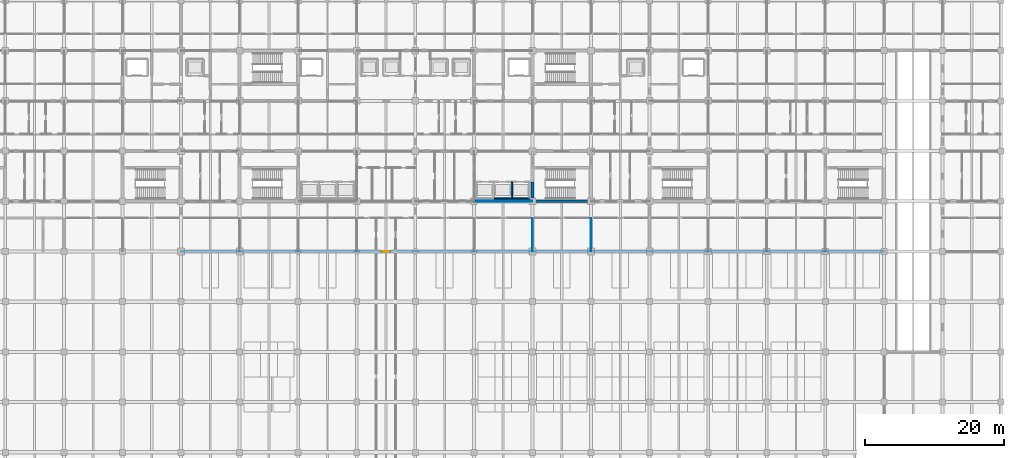
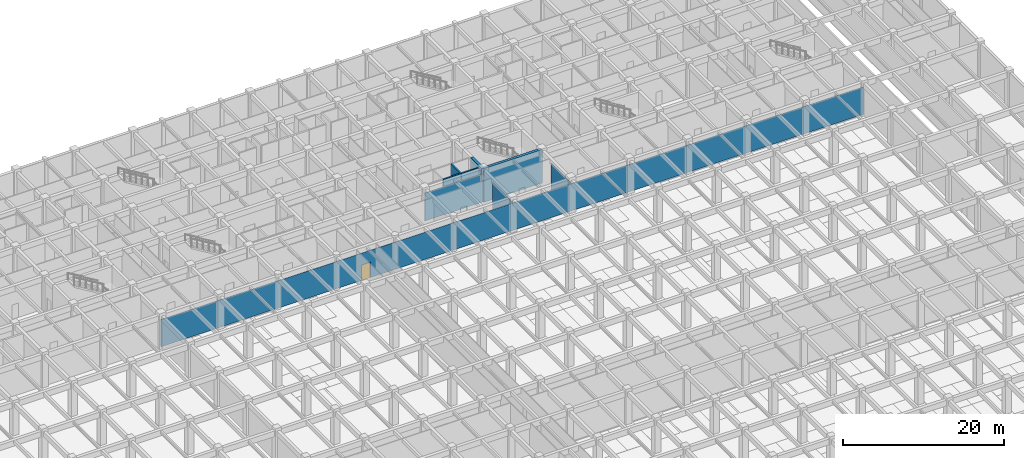
# One storey, part 27 of 48: 9 walls, 1 door, 1 opening.
"""IFC4 building model written with IfcOpenShell, lengths in metres."""

from ifc_helpers import new_model, si_unit, direction, frame, frame_2d, origin, place, context, subcontext, project, spatial, rectangle, extrude, material, layer, layer_set, type_object, element, fill, save


model = new_model("IFC4")

# Units and contexts
model_context = context("Model", 3, precision=1e-05, world=origin(), true_north=direction((0.0, 1.0)))
body_context = subcontext(model_context, "Body", "Model", "MODEL_VIEW")
ifc_project = project(units=[si_unit("LENGTHUNIT", "METRE"), si_unit("AREAUNIT", "SQUARE_METRE"), si_unit("VOLUMEUNIT", "CUBIC_METRE"), si_unit("PLANEANGLEUNIT", "RADIAN"), si_unit("MASSUNIT", "GRAM", prefix="KILO")], contexts=[model_context])

# Site, building, storey
site_placement = place(None, origin())
site = spatial("IfcSite", under=ifc_project, at=site_placement, CompositionType="ELEMENT")
building_placement = place(site_placement, origin())
building = spatial("IfcBuilding", under=site, at=building_placement, Name="Chengyuan Square Courthouse", CompositionType="ELEMENT")
storey_placement = place(building_placement, frame((0.0, 0.0, -5.39990234375)))
storey = spatial("IfcBuildingStorey", under=building, at=storey_placement, Name="B01", CompositionType="ELEMENT", Elevation=-5.39990234375)

# Wall, opening, door
ifc_material_1 = material(Name="Gypsum Plasterboard Acoustic Stud Partition")
ifc_layer_1 = layer(ifc_material_1, 0.10009765625)
ifc_layer_set_1 = layer_set([ifc_layer_1], Name="Gypsum Plasterboard Acoustic Stud Partition")
wall_type_1 = type_object("IfcWallType", Name="WL-PT6", PredefinedType="STANDARD", material=ifc_layer_set_1)
wall_1_placement = place(storey_placement, frame((50.39990234375, 79.199951171875, 0.0), z_axis=(0.0, 0.0, 1.0), x_axis=(1.0, 0.0, 0.0)))
wall_1 = element("IfcWall", 1, at=wall_1_placement, inside=storey, type_object=wall_type_1, Name="Interior Wall WL-B01-I299", PredefinedType="STANDARD", context=body_context, shape_type="SweptSolid", body=[
    extrude(rectangle(XDim=100.800048828125, YDim=0.10009765625, at=frame_2d((50.39990234375, 0.0))), origin(), (0.0, 0.0, 1.0), 4.1298828125),
])
opening_placement = place(wall_1_placement, frame((28.760009765625, 0.0, 0.0)))
opening = element("IfcOpeningElement", 2, at=opening_placement, cuts=wall_1, Name="Opening DR-640", PredefinedType="OPENING", context=body_context, shape_type="SweptSolid", body=[
    extrude(rectangle(XDim=1.280029296875, YDim=2.35009765625, at=frame_2d((0.64013671875, 1.175048828125))), frame((0.0, 0.06201171875, 0.0), z_axis=(0.0, -1.0, 0.0), x_axis=(1.0, 0.0, 0.0)), (0.0, 0.0, 1.0), 0.1240234375),
])
ifc_material_2 = material(Name="Acoustic Solid-Core Timber Door", Category="wood")
door_type = type_object("IfcDoorType", Name="DT-38", OperationType="NOTDEFINED", PredefinedType="DOOR", material=ifc_material_2)
door_placement = place(opening_placement, origin())
door = element("IfcDoor", 3, at=door_placement, inside=storey, type_object=door_type, Name="Interior Door DR-640", OperationType="SINGLE_SWING_LEFT", OverallHeight=2.35009765625, OverallWidth=1.280029296875, PredefinedType="DOOR", context=body_context, shape_type="SweptSolid", body=[
    extrude(rectangle(XDim=1.280029296875, YDim=2.35009765625, at=frame_2d((0.64013671875, 1.175048828125))), frame((0.0, 0.02490234375, 0.0), z_axis=(0.0, -1.0, 0.0), x_axis=(1.0, 0.0, 0.0)), (0.0, 0.0, 1.0), 0.050048828125),
])
fill(opening, door)

# Walls
wall_2_placement = place(storey_placement, frame((92.449951171875, 86.39990234375, 0.0), z_axis=(0.0, 0.0, 1.0), x_axis=(1.0, 0.0, 0.0)))
element("IfcWall", 4, at=wall_2_placement, inside=storey, type_object=wall_type_1, Name="Interior Wall WL-B01-I314", PredefinedType="STANDARD", context=body_context, shape_type="SweptSolid", body=[
    extrude(rectangle(XDim=8.300048828125, YDim=0.10009765625, at=frame_2d((4.14990234375, 0.0))), origin(), (0.0, 0.0, 1.0), 4.25),
])
for number, where, z_axis, x_axis, name in (
    (5, (100.800048828125, 79.199951171875, 0.0), (0.0, 0.0, 1.0), (0.0, 1.0, 0.0), "Interior Wall WL-B01-I550"),
    (6, (109.199951171875, 79.199951171875, 0.0), (0.0, 0.0, 1.0), (0.0, 1.0, 0.0), "Interior Wall WL-B01-I559"),
):
    element("IfcWall", number, at=place(storey_placement, frame(where, z_axis=z_axis, x_axis=x_axis)), inside=storey, type_object=wall_type_1, Name=name, PredefinedType="STANDARD", context=body_context, shape_type="SweptSolid", body=[
        extrude(rectangle(XDim=4.800048828125, YDim=0.10009765625, at=frame_2d((2.39990234375, 0.0))), origin(), (0.0, 0.0, 1.0), 4.349853515625),
    ])
ifc_material_3 = material(Name="Reinforced Masonry Shaft Enclosure", Category="masonry")
ifc_layer_2 = layer(ifc_material_3, 0.199951171875)
ifc_layer_set_2 = layer_set([ifc_layer_2], Name="Reinforced Masonry Shaft Enclosure")
wall_type_2 = type_object("IfcWallType", Name="WL-SH1", PredefinedType="STANDARD", material=ifc_layer_set_2)
for number, where, z_axis, x_axis, name in (
    (7, (95.300048828125, 86.800048828125, 0.0), (0.0, 0.0, 1.0), (1.0, 0.0, 0.0), "Interior Wall WL-B01-I325"),
    (8, (97.89990234375, 86.800048828125, 0.0), (0.0, 0.0, 1.0), (1.0, 0.0, 0.0), "Interior Wall WL-B01-I326"),
):
    element("IfcWall", number, at=place(storey_placement, frame(where, z_axis=z_axis, x_axis=x_axis)), inside=storey, type_object=wall_type_2, Name=name, PredefinedType="STANDARD", context=body_context, shape_type="SweptSolid", body=[
        extrude(rectangle(XDim=2.5, YDim=0.199951171875, at=frame_2d((1.25, 0.0))), origin(), (0.0, 0.0, 1.0), 5.099853515625),
    ])
wall_3_placement = place(storey_placement, frame((97.85009765625, 86.800048828125, 0.0), z_axis=(0.0, 0.0, 1.0), x_axis=(0.0, 1.0, 0.0)))
element("IfcWall", 9, at=wall_3_placement, inside=storey, type_object=wall_type_2, Name="Interior Wall WL-B01-I547", PredefinedType="STANDARD", context=body_context, shape_type="SweptSolid", body=[
    extrude(rectangle(XDim=2.39990234375, YDim=0.199951171875, at=frame_2d((1.199951171875, 0.0))), origin(), (0.0, 0.0, 1.0), 5.099853515625),
])
ifc_material_4 = material(Name="Concrete C50", Category="concrete")
ifc_layer_3 = layer(ifc_material_4, 0.39990234375)
ifc_layer_set_3 = layer_set([ifc_layer_3], Name="Concrete C50")
wall_type_3 = type_object("IfcWallType", Name="WL-SW1", PredefinedType="SHEAR", material=ifc_layer_set_3)
wall_4_placement = place(storey_placement, frame((100.800048828125, 86.39990234375, 0.0), z_axis=(0.0, 0.0, 1.0), x_axis=(1.0, 0.0, 0.0)))
element("IfcWall", 10, at=wall_4_placement, inside=storey, type_object=wall_type_3, Name="Interior Wall WL-B01-I315", PredefinedType="SHEAR", context=body_context, shape_type="SweptSolid", body=[
    extrude(rectangle(XDim=8.39990234375, YDim=0.39990234375, at=frame_2d((4.199951171875, 0.0))), origin(), (0.0, 0.0, 1.0), 5.099853515625),
])
wall_5_placement = place(storey_placement, frame((100.800048828125, 86.449951171875, 0.0), z_axis=(0.0, 0.0, 1.0), x_axis=(0.0, 1.0, 0.0)))
element("IfcWall", 11, at=wall_5_placement, inside=storey, type_object=wall_type_3, Name="Interior Wall WL-B01-I551", PredefinedType="SHEAR", context=body_context, shape_type="SweptSolid", body=[
    extrude(rectangle(XDim=2.699951171875, YDim=0.39990234375, at=frame_2d((1.35009765625, 0.0))), origin(), (0.0, 0.0, 1.0), 5.099853515625),
])

save(model, "model.ifc")
